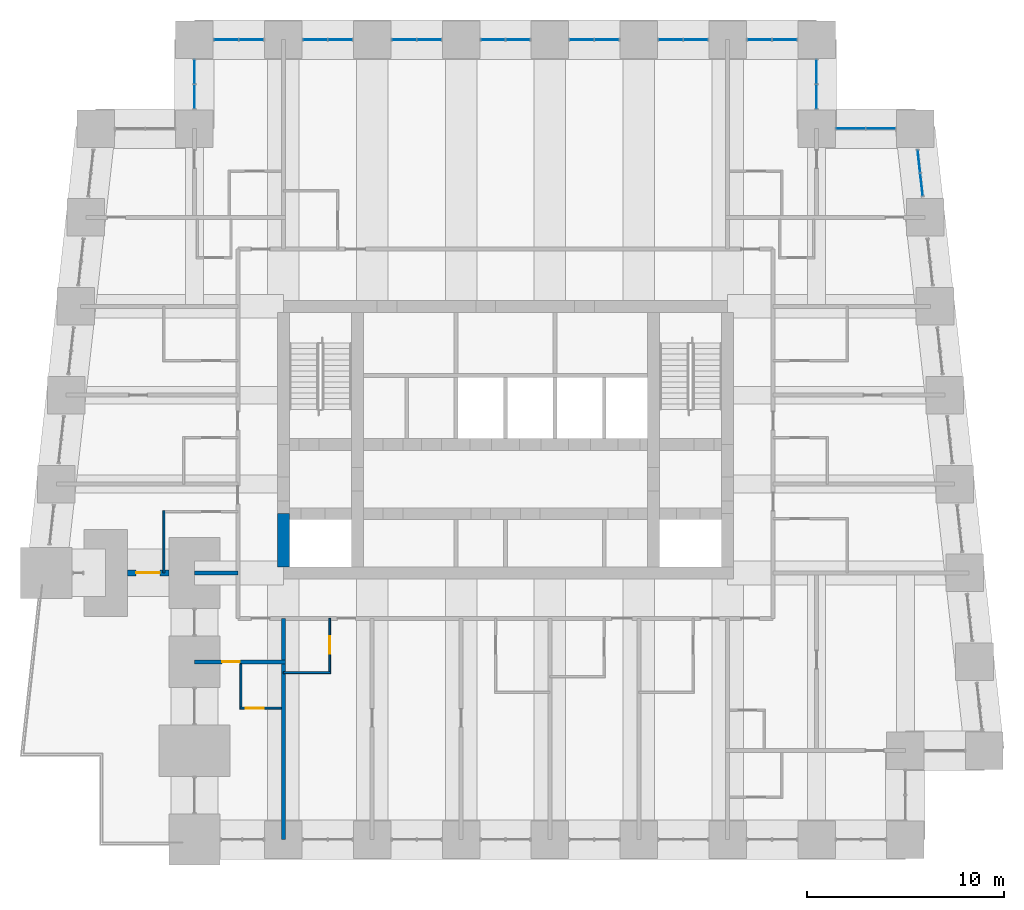
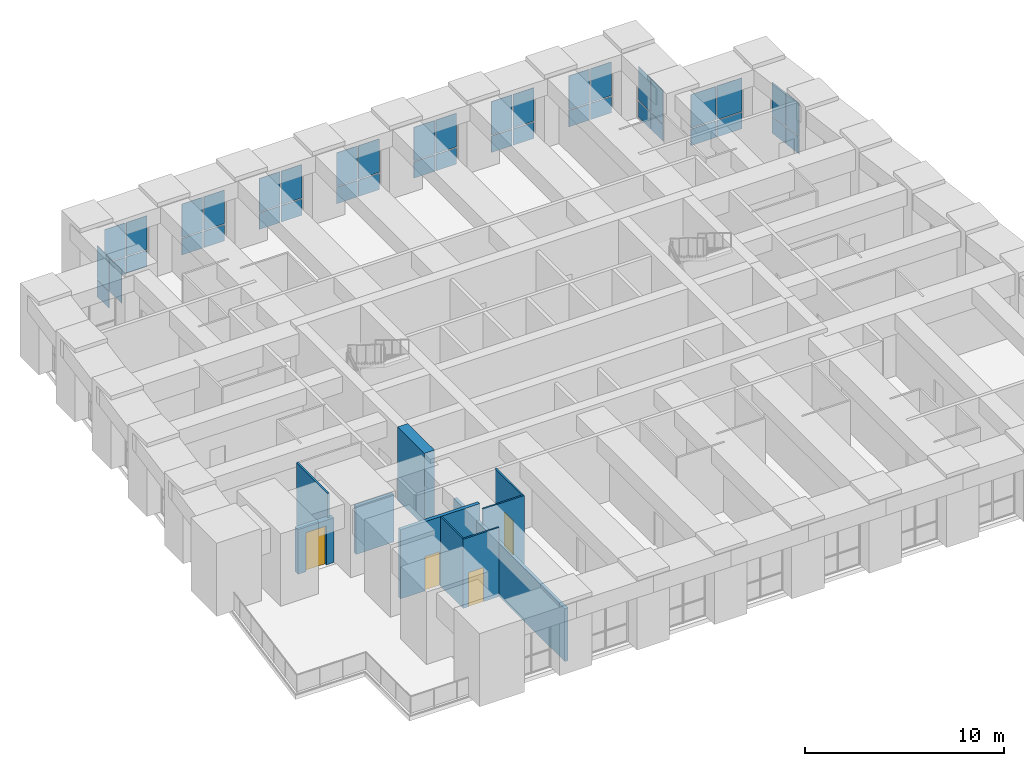
# One storey, part 11 of 16: 43 plates, 10 walls, 4 doors, 4 openings, 11 elements without a shape of their own.
"""IFC4 building model written with IfcOpenShell, lengths in metres."""

from ifc_helpers import new_model, si_unit, direction, frame, frame_2d, origin, origin_2d, place, context, subcontext, project, spatial, rectangle, extrude, material, layer, layer_set, type_object, element, fill, aggregate, save


model = new_model("IFC4")

# Units and contexts
model_context = context("Model", 3, precision=1e-05, world=origin(), true_north=direction((0.0, 1.0)))
body_context = subcontext(model_context, "Body", "Model", "MODEL_VIEW")
ifc_project = project(units=[si_unit("LENGTHUNIT", "METRE"), si_unit("AREAUNIT", "SQUARE_METRE"), si_unit("VOLUMEUNIT", "CUBIC_METRE"), si_unit("PLANEANGLEUNIT", "RADIAN"), si_unit("MASSUNIT", "GRAM", prefix="KILO")], contexts=[model_context])

# Site, building, storey
site_placement = place(None, origin())
site = spatial("IfcSite", under=ifc_project, at=site_placement, CompositionType="ELEMENT")
building_placement = place(site_placement, origin())
building = spatial("IfcBuilding", under=site, at=building_placement, Name="Kilele Tower Hotel", CompositionType="ELEMENT")
storey_placement = place(building_placement, frame((0.0, 0.0, 157.89990234375)))
storey = spatial("IfcBuildingStorey", under=building, at=storey_placement, Name="L40", CompositionType="ELEMENT", Elevation=157.89990234375)

# Curtain wall, plates
ifc_material_1 = material(Name="Aluminium curtain wall, clear double glazing", Category="aluminium")
curtain_wall_type = type_object("IfcCurtainWallType", Name="Club lounge curtain wall CW-4", PredefinedType="NOTDEFINED", material=ifc_material_1)
curtain_wall_1_placement = place(storey_placement, origin())
curtain_wall_1 = element("IfcCurtainWall", 1, at=curtain_wall_1_placement, inside=storey, type_object=curtain_wall_type, Name="Club lounge curtain wall CW-4 L40", PredefinedType="NOTDEFINED")
ifc_material_2 = material(Name="Clear double glazing", Category="glass")
ifc_layer_1 = layer(ifc_material_2, 0.028076171875)
ifc_layer_set_1 = layer_set([ifc_layer_1], Name="Clear double glazing")
plate_type = type_object("IfcPlateType", Name="Glazed panel 28 CW-4", PredefinedType="CURTAIN_PANEL", material=ifc_layer_set_1)
plate_1_placement = place(storey_placement, frame((45.8154296875, 33.1611328125, 0.06005859375), z_axis=(0.0, 0.0, 1.0), x_axis=(-0.110431525712, 0.993883734714, 0.0)))
plate_1 = element("IfcPlate", 2, at=plate_1_placement, type_object=plate_type, Name="CW-4 panel 1.1", PredefinedType="CURTAIN_PANEL", context=body_context, shape_type="SweptSolid", body=[
    extrude(rectangle(XDim=1.124755859375, YDim=0.028076171875, at=origin_2d()), origin(), (0.0, 0.0, 1.0), 1.010009765625),
])
plate_2_placement = place(storey_placement, frame((45.8154296875, 33.1611328125, 1.130126953125), z_axis=(0.0, 0.0, 1.0), x_axis=(-0.110431525712, 0.993883734714, 0.0)))
plate_2 = element("IfcPlate", 3, at=plate_2_placement, type_object=plate_type, Name="CW-4 panel 1.2", PredefinedType="CURTAIN_PANEL", context=body_context, shape_type="SweptSolid", body=[
    extrude(rectangle(XDim=1.124755859375, YDim=0.028076171875, at=origin_2d()), origin(), (0.0, 0.0, 1.0), 2.06005859375),
])
plate_3_placement = place(storey_placement, frame((45.6845703125, 34.3388671875, 0.06005859375), z_axis=(0.0, 0.0, 1.0), x_axis=(-0.110431525712, 0.993883734714, 0.0)))
plate_3 = element("IfcPlate", 4, at=plate_3_placement, type_object=plate_type, Name="CW-4 panel 2.1", PredefinedType="CURTAIN_PANEL", context=body_context, shape_type="SweptSolid", body=[
    extrude(rectangle(XDim=1.124755859375, YDim=0.028076171875, at=origin_2d()), origin(), (0.0, 0.0, 1.0), 1.010009765625),
])
plate_4_placement = place(storey_placement, frame((45.6845703125, 34.3388671875, 1.130126953125), z_axis=(0.0, 0.0, 1.0), x_axis=(-0.110431525712, 0.993883734714, 0.0)))
plate_4 = element("IfcPlate", 5, at=plate_4_placement, type_object=plate_type, Name="CW-4 panel 2.2", PredefinedType="CURTAIN_PANEL", context=body_context, shape_type="SweptSolid", body=[
    extrude(rectangle(XDim=1.124755859375, YDim=0.028076171875, at=origin_2d()), origin(), (0.0, 0.0, 1.0), 2.06005859375),
])
aggregate(curtain_wall_1, [plate_1, plate_2, plate_3, plate_4])

curtain_wall_2_placement = place(storey_placement, origin())
curtain_wall_2 = element("IfcCurtainWall", 6, at=curtain_wall_2_placement, inside=storey, type_object=curtain_wall_type, Name="Club lounge curtain wall CW-4 L40", PredefinedType="NOTDEFINED")
plate_5_placement = place(storey_placement, frame((43.760009765625, 36.0, 0.06005859375), z_axis=(0.0, 0.0, 1.0), x_axis=(-1.0, 0.0, 0.0)))
plate_5 = element("IfcPlate", 7, at=plate_5_placement, type_object=plate_type, Name="CW-4 panel 1.1", PredefinedType="CURTAIN_PANEL", context=body_context, shape_type="SweptSolid", body=[
    extrude(rectangle(XDim=1.4599609375, YDim=0.028076171875, at=origin_2d()), origin(), (0.0, 0.0, 1.0), 1.010009765625),
])
plate_6_placement = place(storey_placement, frame((43.760009765625, 36.0, 1.130126953125), z_axis=(0.0, 0.0, 1.0), x_axis=(-1.0, 0.0, 0.0)))
plate_6 = element("IfcPlate", 8, at=plate_6_placement, type_object=plate_type, Name="CW-4 panel 1.2", PredefinedType="CURTAIN_PANEL", context=body_context, shape_type="SweptSolid", body=[
    extrude(rectangle(XDim=1.4599609375, YDim=0.028076171875, at=origin_2d()), origin(), (0.0, 0.0, 1.0), 2.06005859375),
])
plate_7_placement = place(storey_placement, frame((42.239990234375, 36.0, 0.06005859375), z_axis=(0.0, 0.0, 1.0), x_axis=(-1.0, 0.0, 0.0)))
plate_7 = element("IfcPlate", 9, at=plate_7_placement, type_object=plate_type, Name="CW-4 panel 2.1", PredefinedType="CURTAIN_PANEL", context=body_context, shape_type="SweptSolid", body=[
    extrude(rectangle(XDim=1.4599609375, YDim=0.028076171875, at=origin_2d()), origin(), (0.0, 0.0, 1.0), 1.010009765625),
])
plate_8_placement = place(storey_placement, frame((42.239990234375, 36.0, 1.130126953125), z_axis=(0.0, 0.0, 1.0), x_axis=(-1.0, 0.0, 0.0)))
plate_8 = element("IfcPlate", 10, at=plate_8_placement, type_object=plate_type, Name="CW-4 panel 2.2", PredefinedType="CURTAIN_PANEL", context=body_context, shape_type="SweptSolid", body=[
    extrude(rectangle(XDim=1.4599609375, YDim=0.028076171875, at=origin_2d()), origin(), (0.0, 0.0, 1.0), 2.06005859375),
])
aggregate(curtain_wall_2, [plate_5, plate_6, plate_7, plate_8])

curtain_wall_3_placement = place(storey_placement, origin())
curtain_wall_3 = element("IfcCurtainWall", 11, at=curtain_wall_3_placement, inside=storey, type_object=curtain_wall_type, Name="Club lounge curtain wall CW-4 L40", PredefinedType="NOTDEFINED")
plate_9_placement = place(storey_placement, frame((40.5, 37.614990234375, 0.06005859375), z_axis=(0.0, 0.0, 1.0), x_axis=(0.0, 1.0, 0.0)))
plate_9 = element("IfcPlate", 12, at=plate_9_placement, type_object=plate_type, Name="CW-4 panel 1.1", PredefinedType="CURTAIN_PANEL", context=body_context, shape_type="SweptSolid", body=[
    extrude(rectangle(XDim=1.2099609375, YDim=0.028076171875, at=origin_2d()), origin(), (0.0, 0.0, 1.0), 1.010009765625),
])
plate_10_placement = place(storey_placement, frame((40.5, 37.614990234375, 1.130126953125), z_axis=(0.0, 0.0, 1.0), x_axis=(0.0, 1.0, 0.0)))
plate_10 = element("IfcPlate", 13, at=plate_10_placement, type_object=plate_type, Name="CW-4 panel 1.2", PredefinedType="CURTAIN_PANEL", context=body_context, shape_type="SweptSolid", body=[
    extrude(rectangle(XDim=1.2099609375, YDim=0.028076171875, at=origin_2d()), origin(), (0.0, 0.0, 1.0), 2.06005859375),
])
plate_11_placement = place(storey_placement, frame((40.5, 38.885009765625, 0.06005859375), z_axis=(0.0, 0.0, 1.0), x_axis=(0.0, 1.0, 0.0)))
plate_11 = element("IfcPlate", 14, at=plate_11_placement, type_object=plate_type, Name="CW-4 panel 2.1", PredefinedType="CURTAIN_PANEL", context=body_context, shape_type="SweptSolid", body=[
    extrude(rectangle(XDim=1.2099609375, YDim=0.028076171875, at=origin_2d()), origin(), (0.0, 0.0, 1.0), 1.010009765625),
])
plate_12_placement = place(storey_placement, frame((40.5, 38.885009765625, 1.130126953125), z_axis=(0.0, 0.0, 1.0), x_axis=(0.0, 1.0, 0.0)))
plate_12 = element("IfcPlate", 15, at=plate_12_placement, type_object=plate_type, Name="CW-4 panel 2.2", PredefinedType="CURTAIN_PANEL", context=body_context, shape_type="SweptSolid", body=[
    extrude(rectangle(XDim=1.2099609375, YDim=0.028076171875, at=origin_2d()), origin(), (0.0, 0.0, 1.0), 2.06005859375),
])
aggregate(curtain_wall_3, [plate_9, plate_10, plate_11, plate_12])

curtain_wall_4_placement = place(storey_placement, origin())
curtain_wall_4 = element("IfcCurtainWall", 16, at=curtain_wall_4_placement, inside=storey, type_object=curtain_wall_type, Name="Club lounge curtain wall CW-4 L40", PredefinedType="NOTDEFINED")
plate_13_placement = place(storey_placement, frame((38.885009765625, 40.5, 0.06005859375), z_axis=(0.0, 0.0, 1.0), x_axis=(-1.0, 0.0, 0.0)))
plate_13 = element("IfcPlate", 17, at=plate_13_placement, type_object=plate_type, Name="CW-4 panel 1.1", PredefinedType="CURTAIN_PANEL", context=body_context, shape_type="SweptSolid", body=[
    extrude(rectangle(XDim=1.2099609375, YDim=0.028076171875, at=origin_2d()), origin(), (0.0, 0.0, 1.0), 1.010009765625),
])
plate_14_placement = place(storey_placement, frame((38.885009765625, 40.5, 1.130126953125), z_axis=(0.0, 0.0, 1.0), x_axis=(-1.0, 0.0, 0.0)))
plate_14 = element("IfcPlate", 18, at=plate_14_placement, type_object=plate_type, Name="CW-4 panel 1.2", PredefinedType="CURTAIN_PANEL", context=body_context, shape_type="SweptSolid", body=[
    extrude(rectangle(XDim=1.2099609375, YDim=0.028076171875, at=origin_2d()), origin(), (0.0, 0.0, 1.0), 2.06005859375),
])
plate_15_placement = place(storey_placement, frame((37.614990234375, 40.5, 0.06005859375), z_axis=(0.0, 0.0, 1.0), x_axis=(-1.0, 0.0, 0.0)))
plate_15 = element("IfcPlate", 19, at=plate_15_placement, type_object=plate_type, Name="CW-4 panel 2.1", PredefinedType="CURTAIN_PANEL", context=body_context, shape_type="SweptSolid", body=[
    extrude(rectangle(XDim=1.2099609375, YDim=0.028076171875, at=origin_2d()), origin(), (0.0, 0.0, 1.0), 1.010009765625),
])
plate_16_placement = place(storey_placement, frame((37.614990234375, 40.5, 1.130126953125), z_axis=(0.0, 0.0, 1.0), x_axis=(-1.0, 0.0, 0.0)))
plate_16 = element("IfcPlate", 20, at=plate_16_placement, type_object=plate_type, Name="CW-4 panel 2.2", PredefinedType="CURTAIN_PANEL", context=body_context, shape_type="SweptSolid", body=[
    extrude(rectangle(XDim=1.2099609375, YDim=0.028076171875, at=origin_2d()), origin(), (0.0, 0.0, 1.0), 2.06005859375),
])
aggregate(curtain_wall_4, [plate_13, plate_14, plate_15, plate_16])

curtain_wall_5_placement = place(storey_placement, origin())
curtain_wall_5 = element("IfcCurtainWall", 21, at=curtain_wall_5_placement, inside=storey, type_object=curtain_wall_type, Name="Club lounge curtain wall CW-4 L40", PredefinedType="NOTDEFINED")
plate_17_placement = place(storey_placement, frame((34.385009765625, 40.5, 0.06005859375), z_axis=(0.0, 0.0, 1.0), x_axis=(-1.0, 0.0, 0.0)))
plate_17 = element("IfcPlate", 22, at=plate_17_placement, type_object=plate_type, Name="CW-4 panel 1.1", PredefinedType="CURTAIN_PANEL", context=body_context, shape_type="SweptSolid", body=[
    extrude(rectangle(XDim=1.2099609375, YDim=0.028076171875, at=origin_2d()), origin(), (0.0, 0.0, 1.0), 1.010009765625),
])
plate_18_placement = place(storey_placement, frame((34.385009765625, 40.5, 1.130126953125), z_axis=(0.0, 0.0, 1.0), x_axis=(-1.0, 0.0, 0.0)))
plate_18 = element("IfcPlate", 23, at=plate_18_placement, type_object=plate_type, Name="CW-4 panel 1.2", PredefinedType="CURTAIN_PANEL", context=body_context, shape_type="SweptSolid", body=[
    extrude(rectangle(XDim=1.2099609375, YDim=0.028076171875, at=origin_2d()), origin(), (0.0, 0.0, 1.0), 2.06005859375),
])
plate_19_placement = place(storey_placement, frame((33.114990234375, 40.5, 0.06005859375), z_axis=(0.0, 0.0, 1.0), x_axis=(-1.0, 0.0, 0.0)))
plate_19 = element("IfcPlate", 24, at=plate_19_placement, type_object=plate_type, Name="CW-4 panel 2.1", PredefinedType="CURTAIN_PANEL", context=body_context, shape_type="SweptSolid", body=[
    extrude(rectangle(XDim=1.2099609375, YDim=0.028076171875, at=origin_2d()), origin(), (0.0, 0.0, 1.0), 1.010009765625),
])
plate_20_placement = place(storey_placement, frame((33.114990234375, 40.5, 1.130126953125), z_axis=(0.0, 0.0, 1.0), x_axis=(-1.0, 0.0, 0.0)))
plate_20 = element("IfcPlate", 25, at=plate_20_placement, type_object=plate_type, Name="CW-4 panel 2.2", PredefinedType="CURTAIN_PANEL", context=body_context, shape_type="SweptSolid", body=[
    extrude(rectangle(XDim=1.2099609375, YDim=0.028076171875, at=origin_2d()), origin(), (0.0, 0.0, 1.0), 2.06005859375),
])
aggregate(curtain_wall_5, [plate_17, plate_18, plate_19, plate_20])

curtain_wall_6_placement = place(storey_placement, origin())
curtain_wall_6 = element("IfcCurtainWall", 26, at=curtain_wall_6_placement, inside=storey, type_object=curtain_wall_type, Name="Club lounge curtain wall CW-4 L40", PredefinedType="NOTDEFINED")
plate_21_placement = place(storey_placement, frame((29.885009765625, 40.5, 0.06005859375), z_axis=(0.0, 0.0, 1.0), x_axis=(-1.0, 0.0, 0.0)))
plate_21 = element("IfcPlate", 27, at=plate_21_placement, type_object=plate_type, Name="CW-4 panel 1.1", PredefinedType="CURTAIN_PANEL", context=body_context, shape_type="SweptSolid", body=[
    extrude(rectangle(XDim=1.2099609375, YDim=0.028076171875, at=origin_2d()), origin(), (0.0, 0.0, 1.0), 1.010009765625),
])
plate_22_placement = place(storey_placement, frame((29.885009765625, 40.5, 1.130126953125), z_axis=(0.0, 0.0, 1.0), x_axis=(-1.0, 0.0, 0.0)))
plate_22 = element("IfcPlate", 28, at=plate_22_placement, type_object=plate_type, Name="CW-4 panel 1.2", PredefinedType="CURTAIN_PANEL", context=body_context, shape_type="SweptSolid", body=[
    extrude(rectangle(XDim=1.2099609375, YDim=0.028076171875, at=origin_2d()), origin(), (0.0, 0.0, 1.0), 2.06005859375),
])
plate_23_placement = place(storey_placement, frame((28.614990234375, 40.5, 0.06005859375), z_axis=(0.0, 0.0, 1.0), x_axis=(-1.0, 0.0, 0.0)))
plate_23 = element("IfcPlate", 29, at=plate_23_placement, type_object=plate_type, Name="CW-4 panel 2.1", PredefinedType="CURTAIN_PANEL", context=body_context, shape_type="SweptSolid", body=[
    extrude(rectangle(XDim=1.2099609375, YDim=0.028076171875, at=origin_2d()), origin(), (0.0, 0.0, 1.0), 1.010009765625),
])
plate_24_placement = place(storey_placement, frame((28.614990234375, 40.5, 1.130126953125), z_axis=(0.0, 0.0, 1.0), x_axis=(-1.0, 0.0, 0.0)))
plate_24 = element("IfcPlate", 30, at=plate_24_placement, type_object=plate_type, Name="CW-4 panel 2.2", PredefinedType="CURTAIN_PANEL", context=body_context, shape_type="SweptSolid", body=[
    extrude(rectangle(XDim=1.2099609375, YDim=0.028076171875, at=origin_2d()), origin(), (0.0, 0.0, 1.0), 2.06005859375),
])
aggregate(curtain_wall_6, [plate_21, plate_22, plate_23, plate_24])

curtain_wall_7_placement = place(storey_placement, origin())
curtain_wall_7 = element("IfcCurtainWall", 31, at=curtain_wall_7_placement, inside=storey, type_object=curtain_wall_type, Name="Club lounge curtain wall CW-4 L40", PredefinedType="NOTDEFINED")
plate_25_placement = place(storey_placement, frame((25.385009765625, 40.5, 0.06005859375), z_axis=(0.0, 0.0, 1.0), x_axis=(-1.0, 0.0, 0.0)))
plate_25 = element("IfcPlate", 32, at=plate_25_placement, type_object=plate_type, Name="CW-4 panel 1.1", PredefinedType="CURTAIN_PANEL", context=body_context, shape_type="SweptSolid", body=[
    extrude(rectangle(XDim=1.2099609375, YDim=0.028076171875, at=origin_2d()), origin(), (0.0, 0.0, 1.0), 1.010009765625),
])
plate_26_placement = place(storey_placement, frame((25.385009765625, 40.5, 1.130126953125), z_axis=(0.0, 0.0, 1.0), x_axis=(-1.0, 0.0, 0.0)))
plate_26 = element("IfcPlate", 33, at=plate_26_placement, type_object=plate_type, Name="CW-4 panel 1.2", PredefinedType="CURTAIN_PANEL", context=body_context, shape_type="SweptSolid", body=[
    extrude(rectangle(XDim=1.2099609375, YDim=0.028076171875, at=origin_2d()), origin(), (0.0, 0.0, 1.0), 2.06005859375),
])
plate_27_placement = place(storey_placement, frame((24.114990234375, 40.5, 0.06005859375), z_axis=(0.0, 0.0, 1.0), x_axis=(-1.0, 0.0, 0.0)))
plate_27 = element("IfcPlate", 34, at=plate_27_placement, type_object=plate_type, Name="CW-4 panel 2.1", PredefinedType="CURTAIN_PANEL", context=body_context, shape_type="SweptSolid", body=[
    extrude(rectangle(XDim=1.2099609375, YDim=0.028076171875, at=origin_2d()), origin(), (0.0, 0.0, 1.0), 1.010009765625),
])
plate_28_placement = place(storey_placement, frame((24.114990234375, 40.5, 1.130126953125), z_axis=(0.0, 0.0, 1.0), x_axis=(-1.0, 0.0, 0.0)))
plate_28 = element("IfcPlate", 35, at=plate_28_placement, type_object=plate_type, Name="CW-4 panel 2.2", PredefinedType="CURTAIN_PANEL", context=body_context, shape_type="SweptSolid", body=[
    extrude(rectangle(XDim=1.2099609375, YDim=0.028076171875, at=origin_2d()), origin(), (0.0, 0.0, 1.0), 2.06005859375),
])
aggregate(curtain_wall_7, [plate_25, plate_26, plate_27, plate_28])

curtain_wall_8_placement = place(storey_placement, origin())
curtain_wall_8 = element("IfcCurtainWall", 36, at=curtain_wall_8_placement, inside=storey, type_object=curtain_wall_type, Name="Club lounge curtain wall CW-4 L40", PredefinedType="NOTDEFINED")
plate_29_placement = place(storey_placement, frame((20.885009765625, 40.5, 0.06005859375), z_axis=(0.0, 0.0, 1.0), x_axis=(-1.0, 0.0, 0.0)))
plate_29 = element("IfcPlate", 37, at=plate_29_placement, type_object=plate_type, Name="CW-4 panel 1.1", PredefinedType="CURTAIN_PANEL", context=body_context, shape_type="SweptSolid", body=[
    extrude(rectangle(XDim=1.2099609375, YDim=0.028076171875, at=origin_2d()), origin(), (0.0, 0.0, 1.0), 1.010009765625),
])
plate_30_placement = place(storey_placement, frame((20.885009765625, 40.5, 1.130126953125), z_axis=(0.0, 0.0, 1.0), x_axis=(-1.0, 0.0, 0.0)))
plate_30 = element("IfcPlate", 38, at=plate_30_placement, type_object=plate_type, Name="CW-4 panel 1.2", PredefinedType="CURTAIN_PANEL", context=body_context, shape_type="SweptSolid", body=[
    extrude(rectangle(XDim=1.2099609375, YDim=0.028076171875, at=origin_2d()), origin(), (0.0, 0.0, 1.0), 2.06005859375),
])
plate_31_placement = place(storey_placement, frame((19.614990234375, 40.5, 0.06005859375), z_axis=(0.0, 0.0, 1.0), x_axis=(-1.0, 0.0, 0.0)))
plate_31 = element("IfcPlate", 39, at=plate_31_placement, type_object=plate_type, Name="CW-4 panel 2.1", PredefinedType="CURTAIN_PANEL", context=body_context, shape_type="SweptSolid", body=[
    extrude(rectangle(XDim=1.2099609375, YDim=0.028076171875, at=origin_2d()), origin(), (0.0, 0.0, 1.0), 1.010009765625),
])
plate_32_placement = place(storey_placement, frame((19.614990234375, 40.5, 1.130126953125), z_axis=(0.0, 0.0, 1.0), x_axis=(-1.0, 0.0, 0.0)))
plate_32 = element("IfcPlate", 40, at=plate_32_placement, type_object=plate_type, Name="CW-4 panel 2.2", PredefinedType="CURTAIN_PANEL", context=body_context, shape_type="SweptSolid", body=[
    extrude(rectangle(XDim=1.2099609375, YDim=0.028076171875, at=origin_2d()), origin(), (0.0, 0.0, 1.0), 2.06005859375),
])
aggregate(curtain_wall_8, [plate_29, plate_30, plate_31, plate_32])

curtain_wall_9_placement = place(storey_placement, origin())
curtain_wall_9 = element("IfcCurtainWall", 41, at=curtain_wall_9_placement, inside=storey, type_object=curtain_wall_type, Name="Club lounge curtain wall CW-4 L40", PredefinedType="NOTDEFINED")
plate_33_placement = place(storey_placement, frame((16.385009765625, 40.5, 0.06005859375), z_axis=(0.0, 0.0, 1.0), x_axis=(-1.0, 0.0, 0.0)))
plate_33 = element("IfcPlate", 42, at=plate_33_placement, type_object=plate_type, Name="CW-4 panel 1.1", PredefinedType="CURTAIN_PANEL", context=body_context, shape_type="SweptSolid", body=[
    extrude(rectangle(XDim=1.2099609375, YDim=0.028076171875, at=origin_2d()), origin(), (0.0, 0.0, 1.0), 1.010009765625),
])
plate_34_placement = place(storey_placement, frame((16.385009765625, 40.5, 1.130126953125), z_axis=(0.0, 0.0, 1.0), x_axis=(-1.0, 0.0, 0.0)))
plate_34 = element("IfcPlate", 43, at=plate_34_placement, type_object=plate_type, Name="CW-4 panel 1.2", PredefinedType="CURTAIN_PANEL", context=body_context, shape_type="SweptSolid", body=[
    extrude(rectangle(XDim=1.2099609375, YDim=0.028076171875, at=origin_2d()), origin(), (0.0, 0.0, 1.0), 2.06005859375),
])
plate_35_placement = place(storey_placement, frame((15.114990234375, 40.5, 0.06005859375), z_axis=(0.0, 0.0, 1.0), x_axis=(-1.0, 0.0, 0.0)))
plate_35 = element("IfcPlate", 44, at=plate_35_placement, type_object=plate_type, Name="CW-4 panel 2.1", PredefinedType="CURTAIN_PANEL", context=body_context, shape_type="SweptSolid", body=[
    extrude(rectangle(XDim=1.2099609375, YDim=0.028076171875, at=origin_2d()), origin(), (0.0, 0.0, 1.0), 1.010009765625),
])
plate_36_placement = place(storey_placement, frame((15.114990234375, 40.5, 1.130126953125), z_axis=(0.0, 0.0, 1.0), x_axis=(-1.0, 0.0, 0.0)))
plate_36 = element("IfcPlate", 45, at=plate_36_placement, type_object=plate_type, Name="CW-4 panel 2.2", PredefinedType="CURTAIN_PANEL", context=body_context, shape_type="SweptSolid", body=[
    extrude(rectangle(XDim=1.2099609375, YDim=0.028076171875, at=origin_2d()), origin(), (0.0, 0.0, 1.0), 2.06005859375),
])
aggregate(curtain_wall_9, [plate_33, plate_34, plate_35, plate_36])

curtain_wall_10_placement = place(storey_placement, origin())
curtain_wall_10 = element("IfcCurtainWall", 46, at=curtain_wall_10_placement, inside=storey, type_object=curtain_wall_type, Name="Club lounge curtain wall CW-4 L40", PredefinedType="NOTDEFINED")
plate_37_placement = place(storey_placement, frame((11.885009765625, 40.5, 0.06005859375), z_axis=(0.0, 0.0, 1.0), x_axis=(-1.0, 0.0, 0.0)))
plate_37 = element("IfcPlate", 47, at=plate_37_placement, type_object=plate_type, Name="CW-4 panel 1.1", PredefinedType="CURTAIN_PANEL", context=body_context, shape_type="SweptSolid", body=[
    extrude(rectangle(XDim=1.2099609375, YDim=0.028076171875, at=origin_2d()), origin(), (0.0, 0.0, 1.0), 1.010009765625),
])
plate_38_placement = place(storey_placement, frame((11.885009765625, 40.5, 1.130126953125), z_axis=(0.0, 0.0, 1.0), x_axis=(-1.0, 0.0, 0.0)))
plate_38 = element("IfcPlate", 48, at=plate_38_placement, type_object=plate_type, Name="CW-4 panel 1.2", PredefinedType="CURTAIN_PANEL", context=body_context, shape_type="SweptSolid", body=[
    extrude(rectangle(XDim=1.2099609375, YDim=0.028076171875, at=origin_2d()), origin(), (0.0, 0.0, 1.0), 2.06005859375),
])
plate_39_placement = place(storey_placement, frame((10.614990234375, 40.5, 0.06005859375), z_axis=(0.0, 0.0, 1.0), x_axis=(-1.0, 0.0, 0.0)))
plate_39 = element("IfcPlate", 49, at=plate_39_placement, type_object=plate_type, Name="CW-4 panel 2.1", PredefinedType="CURTAIN_PANEL", context=body_context, shape_type="SweptSolid", body=[
    extrude(rectangle(XDim=1.2099609375, YDim=0.028076171875, at=origin_2d()), origin(), (0.0, 0.0, 1.0), 1.010009765625),
])
plate_40_placement = place(storey_placement, frame((10.614990234375, 40.5, 1.130126953125), z_axis=(0.0, 0.0, 1.0), x_axis=(-1.0, 0.0, 0.0)))
plate_40 = element("IfcPlate", 50, at=plate_40_placement, type_object=plate_type, Name="CW-4 panel 2.2", PredefinedType="CURTAIN_PANEL", context=body_context, shape_type="SweptSolid", body=[
    extrude(rectangle(XDim=1.2099609375, YDim=0.028076171875, at=origin_2d()), origin(), (0.0, 0.0, 1.0), 2.06005859375),
])
aggregate(curtain_wall_10, [plate_37, plate_38, plate_39, plate_40])

curtain_wall_11_placement = place(storey_placement, origin())
curtain_wall_11 = element("IfcCurtainWall", 51, at=curtain_wall_11_placement, inside=storey, type_object=curtain_wall_type, Name="Club lounge curtain wall CW-4 L40", PredefinedType="NOTDEFINED")
plate_41_placement = place(storey_placement, frame((9.0, 38.885009765625, 0.06005859375), z_axis=(0.0, 0.0, 1.0), x_axis=(0.0, -1.0, 0.0)))
plate_41 = element("IfcPlate", 52, at=plate_41_placement, type_object=plate_type, Name="CW-4 panel 1.1", PredefinedType="CURTAIN_PANEL", context=body_context, shape_type="SweptSolid", body=[
    extrude(rectangle(XDim=1.2099609375, YDim=0.028076171875, at=origin_2d()), origin(), (0.0, 0.0, 1.0), 1.010009765625),
])
plate_42_placement = place(storey_placement, frame((9.0, 38.885009765625, 1.130126953125), z_axis=(0.0, 0.0, 1.0), x_axis=(0.0, -1.0, 0.0)))
plate_42 = element("IfcPlate", 53, at=plate_42_placement, type_object=plate_type, Name="CW-4 panel 1.2", PredefinedType="CURTAIN_PANEL", context=body_context, shape_type="SweptSolid", body=[
    extrude(rectangle(XDim=1.2099609375, YDim=0.028076171875, at=origin_2d()), origin(), (0.0, 0.0, 1.0), 2.06005859375),
])
plate_43_placement = place(storey_placement, frame((9.0, 37.614990234375, 1.130126953125), z_axis=(0.0, 0.0, 1.0), x_axis=(0.0, -1.0, 0.0)))
plate_43 = element("IfcPlate", 54, at=plate_43_placement, type_object=plate_type, Name="CW-4 panel 2.2", PredefinedType="CURTAIN_PANEL", context=body_context, shape_type="SweptSolid", body=[
    extrude(rectangle(XDim=1.2099609375, YDim=0.028076171875, at=origin_2d()), origin(), (0.0, 0.0, 1.0), 2.06005859375),
])
aggregate(curtain_wall_11, [plate_41, plate_42, plate_43])

# Wall
ifc_material_3 = material(Name="Moisture-resistant board")
ifc_layer_2 = layer(ifc_material_3, 0.10009765625)
ifc_layer_set_2 = layer_set([ifc_layer_2], Name="Moisture-resistant board")
wall_type_1 = type_object("IfcWallType", Name="Bathroom partition 100", PredefinedType="PLUMBINGWALL", material=ifc_layer_set_2)
wall_1_placement = place(storey_placement, frame((13.5, 8.449951171875, 0.0), z_axis=(0.0, 0.0, 1.0), x_axis=(1.0, 0.0, 0.0)))
element("IfcWall", 55, at=wall_1_placement, inside=storey, type_object=wall_type_1, Name="Bathroom partition 100 L40", PredefinedType="PLUMBINGWALL", context=body_context, shape_type="SweptSolid", body=[
    extrude(rectangle(XDim=2.39990234375, YDim=0.10009765625, at=frame_2d((1.199951171875, 0.0))), origin(), (0.0, 0.0, 1.0), 4.25),
])

# Wall, opening, door
wall_2_placement = place(storey_placement, frame((15.85009765625, 11.199951171875, 0.0), z_axis=(0.0, 0.0, 1.0), x_axis=(0.0, -1.0, 0.0)))
wall_2 = element("IfcWall", 56, at=wall_2_placement, inside=storey, type_object=wall_type_1, Name="Bathroom partition 100 L40", PredefinedType="PLUMBINGWALL", context=body_context, shape_type="SweptSolid", body=[
    extrude(rectangle(XDim=2.800048828125, YDim=0.10009765625, at=frame_2d((1.39990234375, 0.0))), origin(), (0.0, 0.0, 1.0), 4.25),
])
opening_1_placement = place(wall_2_placement, frame((0.89990234375, 0.0, 0.0)))
opening_1 = element("IfcOpeningElement", 57, at=opening_1_placement, cuts=wall_2, Name="Opening D2A", PredefinedType="OPENING", context=body_context, shape_type="SweptSolid", body=[
    extrude(rectangle(XDim=0.89990234375, YDim=2.10009765625, at=frame_2d((0.449951171875, 1.050048828125))), frame((0.0, 0.06005859375, 0.0), z_axis=(0.0, -1.0, 0.0), x_axis=(1.0, 0.0, 0.0)), (0.0, 0.0, 1.0), 0.1201171875),
])
ifc_material_4 = material(Name="Timber door leaf in hardwood frame", Category="wood")
door_type_1 = type_object("IfcDoorType", Name="Bathroom door 900", OperationType="SINGLE_SWING_LEFT", PredefinedType="DOOR", material=ifc_material_4)
door_1_placement = place(opening_1_placement, origin())
door_1 = element("IfcDoor", 58, at=door_1_placement, inside=storey, type_object=door_type_1, Name="Bathroom door 4001B", OperationType="SINGLE_SWING_LEFT", OverallHeight=2.10009765625, OverallWidth=0.89990234375, PredefinedType="DOOR", context=body_context, shape_type="SweptSolid", body=[
    extrude(rectangle(XDim=0.89990234375, YDim=2.10009765625, at=frame_2d((0.449951171875, 1.050048828125))), frame((0.0, 0.02490234375, 0.0), z_axis=(0.0, -1.0, 0.0), x_axis=(1.0, 0.0, 0.0)), (0.0, 0.0, 1.0), 0.050048828125),
])
fill(opening_1, door_1)

# Walls
wall_3_placement = place(storey_placement, frame((7.449951171875, 13.5, 0.0), z_axis=(0.0, 0.0, 1.0), x_axis=(0.0, 1.0, 0.0)))
element("IfcWall", 59, at=wall_3_placement, inside=storey, type_object=wall_type_1, Name="Bathroom partition 100 L40", PredefinedType="PLUMBINGWALL", context=body_context, shape_type="SweptSolid", body=[
    extrude(rectangle(XDim=3.14990234375, YDim=0.10009765625, at=frame_2d((1.574951171875, 0.0))), origin(), (0.0, 0.0, 1.0), 4.25),
])
wall_4_placement = place(storey_placement, frame((11.35009765625, 8.89990234375, 0.0), z_axis=(0.0, 0.0, 1.0), x_axis=(0.0, -1.0, 0.0)))
element("IfcWall", 60, at=wall_4_placement, inside=storey, type_object=wall_type_1, Name="Bathroom partition 100 L40", PredefinedType="PLUMBINGWALL", context=body_context, shape_type="SweptSolid", body=[
    extrude(rectangle(XDim=2.2998046875, YDim=0.10009765625, at=frame_2d((1.14990234375, 0.0))), origin(), (0.0, 0.0, 1.0), 4.25),
])

# Wall, opening, door
wall_5_placement = place(storey_placement, frame((13.39990234375, 6.64990234375, 0.0), z_axis=(0.0, 0.0, 1.0), x_axis=(-1.0, 0.0, 0.0)))
wall_5 = element("IfcWall", 61, at=wall_5_placement, inside=storey, type_object=wall_type_1, Name="Bathroom partition 100 L40", PredefinedType="PLUMBINGWALL", context=body_context, shape_type="SweptSolid", body=[
    extrude(rectangle(XDim=2.099853515625, YDim=0.10009765625, at=frame_2d((1.0498046875, 0.0))), origin(), (0.0, 0.0, 1.0), 4.25),
])
opening_2_placement = place(wall_5_placement, frame((0.89990234375, 0.0, 0.0)))
opening_2 = element("IfcOpeningElement", 62, at=opening_2_placement, cuts=wall_5, Name="Opening D2A", PredefinedType="OPENING", context=body_context, shape_type="SweptSolid", body=[
    extrude(rectangle(XDim=0.89990234375, YDim=2.10009765625, at=frame_2d((0.449951171875, 1.050048828125))), frame((0.0, 0.06005859375, 0.0), z_axis=(0.0, -1.0, 0.0), x_axis=(1.0, 0.0, 0.0)), (0.0, 0.0, 1.0), 0.1201171875),
])
door_2_placement = place(opening_2_placement, origin())
door_2 = element("IfcDoor", 63, at=door_2_placement, inside=storey, type_object=door_type_1, Name="Bathroom door 4014B", OperationType="SINGLE_SWING_LEFT", OverallHeight=2.10009765625, OverallWidth=0.89990234375, PredefinedType="DOOR", context=body_context, shape_type="SweptSolid", body=[
    extrude(rectangle(XDim=0.89990234375, YDim=2.10009765625, at=frame_2d((0.449951171875, 1.050048828125))), frame((0.0, 0.02490234375, 0.0), z_axis=(0.0, -1.0, 0.0), x_axis=(1.0, 0.0, 0.0)), (0.0, 0.0, 1.0), 0.050048828125),
])
fill(opening_2, door_2)

# Walls
ifc_material_5 = material(Name="Concrete C70/85", Category="concrete")
ifc_layer_3 = layer(ifc_material_5, 0.60009765625)
ifc_layer_set_3 = layer_set([ifc_layer_3], Name="Concrete C70/85")
wall_type_2 = type_object("IfcWallType", Name="Core wall 600 C70/85", PredefinedType="SHEAR", material=ifc_layer_set_3)
wall_6_placement = place(storey_placement, frame((13.5, 16.5, 0.0), z_axis=(0.0, 0.0, 1.0), x_axis=(0.0, -1.0, 0.0)))
element("IfcWall", 64, at=wall_6_placement, inside=storey, type_object=wall_type_2, Name="Core wall W3 L40", PredefinedType="SHEAR", context=body_context, shape_type="SweptSolid", body=[
    extrude(rectangle(XDim=2.699951171875, YDim=0.60009765625, at=frame_2d((1.35009765625, 0.0))), origin(), (0.0, 0.0, 1.0), 4.5),
])
ifc_material_6 = material(Name="Blockwork, plastered both sides", Category="masonry")
ifc_layer_4 = layer(ifc_material_6, 0.199951171875)
ifc_layer_set_4 = layer_set([ifc_layer_4], Name="Blockwork, plastered both sides")
wall_type_3 = type_object("IfcWallType", Name="Party wall 200", PredefinedType="PARTITIONING", material=ifc_layer_set_4)
wall_7_placement = place(storey_placement, frame((11.199951171875, 13.5, 0.0), z_axis=(0.0, 0.0, 1.0), x_axis=(-1.0, 0.0, 0.0)))
element("IfcWall", 65, at=wall_7_placement, inside=storey, type_object=wall_type_3, Name="Party wall 200 L40", PredefinedType="PARTITIONING", context=body_context, shape_type="SweptSolid", body=[
    extrude(rectangle(XDim=2.199951171875, YDim=0.199951171875, at=frame_2d((1.10009765625, 0.0))), origin(), (0.0, 0.0, 1.0), 2.9501953125),
])
wall_8_placement = place(storey_placement, frame((13.5, 11.199951171875, 0.0), z_axis=(0.0, 0.0, 1.0), x_axis=(0.0, -1.0, 0.0)))
element("IfcWall", 66, at=wall_8_placement, inside=storey, type_object=wall_type_3, Name="Party wall 200 L40", PredefinedType="PARTITIONING", context=body_context, shape_type="SweptSolid", body=[
    extrude(rectangle(XDim=11.199951171875, YDim=0.199951171875, at=frame_2d((5.60009765625, 0.0))), origin(), (0.0, 0.0, 1.0), 3.25),
])

# Wall, opening, door
wall_9_placement = place(storey_placement, frame((13.60009765625, 9.0, 0.0), z_axis=(0.0, 0.0, 1.0), x_axis=(-1.0, 0.0, 0.0)))
wall_9 = element("IfcWall", 67, at=wall_9_placement, inside=storey, type_object=wall_type_3, Name="Party wall 200 L40", PredefinedType="PARTITIONING", context=body_context, shape_type="SweptSolid", body=[
    extrude(rectangle(XDim=4.60009765625, YDim=0.199951171875, at=frame_2d((2.300048828125, 0.0))), origin(), (0.0, 0.0, 1.0), 4.25),
])
opening_3_placement = place(wall_9_placement, frame((2.300048828125, 0.0, 0.0)))
opening_3 = element("IfcOpeningElement", 68, at=opening_3_placement, cuts=wall_9, Name="Opening D3", PredefinedType="OPENING", context=body_context, shape_type="SweptSolid", body=[
    extrude(rectangle(XDim=0.89990234375, YDim=2.10009765625, at=frame_2d((0.449951171875, 1.050048828125))), frame((0.0, 0.10986328125, 0.0), z_axis=(0.0, -1.0, 0.0), x_axis=(1.0, 0.0, 0.0)), (0.0, 0.0, 1.0), 0.219970703125),
])
ifc_material_7 = material(Name="Timber door leaf in hardwood frame", Category="wood")
door_type_2 = type_object("IfcDoorType", Name="Suite internal door 900", OperationType="SINGLE_SWING_LEFT", PredefinedType="DOOR", material=ifc_material_7)
door_3_placement = place(opening_3_placement, origin())
door_3 = element("IfcDoor", 69, at=door_3_placement, inside=storey, type_object=door_type_2, Name="Suite door 4014", OperationType="SINGLE_SWING_LEFT", OverallHeight=2.10009765625, OverallWidth=0.89990234375, PredefinedType="DOOR", context=body_context, shape_type="SweptSolid", body=[
    extrude(rectangle(XDim=0.89990234375, YDim=2.10009765625, at=frame_2d((0.449951171875, 1.050048828125))), frame((0.0, 0.02490234375, 0.0), z_axis=(0.0, -1.0, 0.0), x_axis=(1.0, 0.0, 0.0)), (0.0, 0.0, 1.0), 0.050048828125),
])
fill(opening_3, door_3)

ifc_material_8 = material(Name="Concrete C40/50 precast", Category="concrete")
ifc_layer_5 = layer(ifc_material_8, 0.260009765625, Name="Precast backing", Category="LoadBearing")
ifc_material_9 = material(Name="Reconstituted stone finish", Category="masonry")
ifc_layer_6 = layer(ifc_material_9, 0.0400390625, Name="Face mix", Category="Finish")
ifc_layer_set_5 = layer_set([ifc_layer_5, ifc_layer_6], Name="Precast concrete C40/50, reconstituted stone finish")
wall_type_4 = type_object("IfcWallType", Name="Precast stone facade wall 300", PredefinedType="STANDARD", material=ifc_layer_set_5)
wall_10_placement = place(storey_placement, frame((5.60009765625, 13.5, 0.0), z_axis=(0.0, 0.0, 1.0), x_axis=(1.0, 0.0, 0.0)))
wall_10 = element("IfcWall", 70, at=wall_10_placement, inside=storey, type_object=wall_type_4, Name="Facade wall L40 edge 1 bay 2", PredefinedType="STANDARD", context=body_context, shape_type="SweptSolid", body=[
    extrude(rectangle(XDim=2.099853515625, YDim=0.300048828125, at=frame_2d((1.0498046875, 0.0))), origin(), (0.0, 0.0, 1.0), 2.75),
])
opening_4_placement = place(wall_10_placement, frame((0.449951171875, 0.0, 0.0)))
opening_4 = element("IfcOpeningElement", 71, at=opening_4_placement, cuts=wall_10, Name="Opening TD1", PredefinedType="OPENING", context=body_context, shape_type="SweptSolid", body=[
    extrude(rectangle(XDim=1.199951171875, YDim=2.39990234375, at=frame_2d((0.60009765625, 1.199951171875))), frame((0.0, 0.159912109375, 0.0), z_axis=(0.0, -1.0, 0.0), x_axis=(1.0, 0.0, 0.0)), (0.0, 0.0, 1.0), 0.320068359375),
])
ifc_material_10 = material(Name="Aluminium frame, clear glazing", Category="aluminium")
door_type_3 = type_object("IfcDoorType", Name="Terrace door 1200", OperationType="SINGLE_SWING_LEFT", PredefinedType="DOOR", material=ifc_material_10)
door_4_placement = place(opening_4_placement, origin())
door_4 = element("IfcDoor", 72, at=door_4_placement, inside=storey, type_object=door_type_3, Name="Terrace door L40", OperationType="SINGLE_SWING_RIGHT", OverallHeight=2.39990234375, OverallWidth=1.199951171875, PredefinedType="DOOR", context=body_context, shape_type="SweptSolid", body=[
    extrude(rectangle(XDim=1.199951171875, YDim=2.39990234375, at=frame_2d((0.60009765625, 1.199951171875))), frame((0.0, 0.02490234375, 0.0), z_axis=(0.0, -1.0, 0.0), x_axis=(1.0, 0.0, 0.0)), (0.0, 0.0, 1.0), 0.050048828125),
])
fill(opening_4, door_4)

save(model, "model.ifc")
